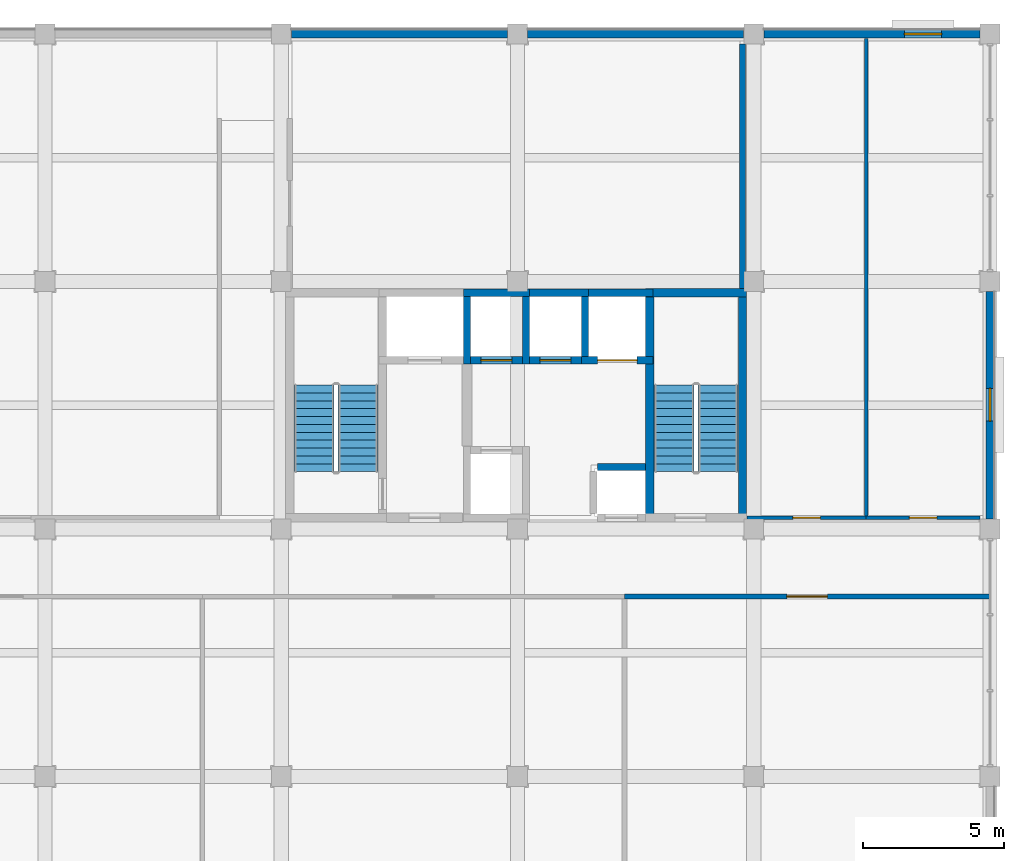
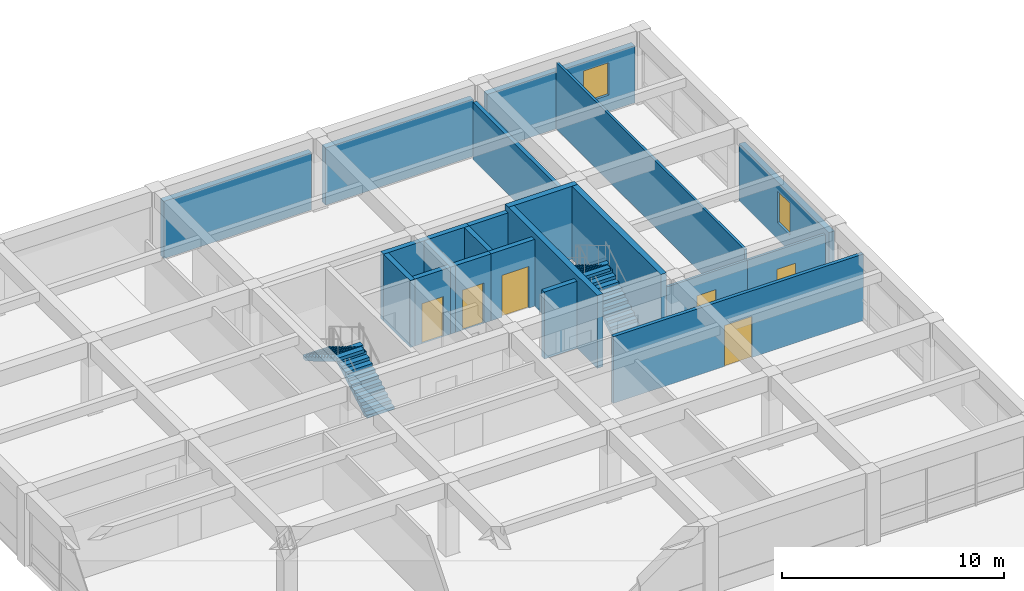
# One storey, part 5 of 8: 22 walls, 6 doors, 4 stair flights, 2 windows, 8 openings, 2 elements without a shape of their own.
"""IFC4 building model written with IfcOpenShell, lengths in metres."""

import ifcopenshell
import ifcopenshell.guid

model = None  # the IFC model being written
_history = None  # IfcOwnerHistory: only IFC2X3 demands one
_inside = {}  # id of a spatial element -> (the spatial element, [elements in it])
_under = {}  # id of a project, library or spatial element -> (it, [spatial elements below it])
_declared = {}  # id of a project -> (the project, [libraries it declares])
_typed = {}  # id of a type object -> (the type object, [elements of that type])
_made_of = {}  # id of a material, layer set ... -> (it, [elements and type objects made of it])


def new_model(schema):
    """Start an empty IFC model of exactly this schema.

    Asked for "IFC4X3", IfcOpenShell would pick the latest addendum, in which some entities
    have other attributes; the version numbers below select the first issue.
    IFC2X3 requires an IfcOwnerHistory on every rooted entity: one is made here for all.
    """
    global model, _history
    if schema == "IFC4X3":
        model = ifcopenshell.file(schema_version=(4, 3, 0, 0))
    else:
        model = ifcopenshell.file(schema=schema)
    _inside.clear()
    _under.clear()
    _declared.clear()
    _typed.clear()
    _made_of.clear()
    _history = None
    if model.schema == "IFC2X3":
        org = make("IfcOrganization", Name="unknown")
        user = make(
            "IfcPersonAndOrganization",
            ThePerson=make("IfcPerson", FamilyName="unknown"),
            TheOrganization=org,
        )
        app = make(
            "IfcApplication",
            ApplicationDeveloper=org,
            Version="unknown",
            ApplicationFullName="unknown",
            ApplicationIdentifier="unknown",
        )
        _history = make(
            "IfcOwnerHistory",
            OwningUser=user,
            OwningApplication=app,
            ChangeAction="ADDED",
            CreationDate=0,
        )
    return model


def make(cls, **values):
    """One entity of the class cls with the attributes given. An attribute that is None is left unset."""
    return model.create_entity(
        cls, **{name: value for name, value in values.items() if value is not None}
    )


def rooted(cls, **values):
    """An entity with a GlobalId (a new one), such as an element, a storey or a relation."""
    return make(cls, GlobalId=ifcopenshell.guid.new(), OwnerHistory=_history, **values)


def si_unit(unit_type, name, prefix=None):
    """IfcSIUnit, for example si_unit("LENGTHUNIT", "METRE", prefix="MILLI")."""
    return make("IfcSIUnit", UnitType=unit_type, Prefix=prefix, Name=name)


def assignment(units):
    """IfcUnitAssignment: the units of a project."""
    return None if units is None else make("IfcUnitAssignment", Units=units)


def point(xyz):
    """IfcCartesianPoint."""
    return None if xyz is None else make("IfcCartesianPoint", Coordinates=xyz)


def direction(xyz):
    """IfcDirection."""
    return None if xyz is None else make("IfcDirection", DirectionRatios=xyz)


def frame(location, z_axis=None, x_axis=None):
    """IfcAxis2Placement3D, a coordinate frame: its origin and axes. An axis left out is left unset."""
    return make(
        "IfcAxis2Placement3D",
        Location=point(location),
        Axis=direction(z_axis),
        RefDirection=direction(x_axis),
    )


def frame_2d(location, x_axis=None):
    """IfcAxis2Placement2D, a coordinate frame in the plane: its origin and x axis."""
    return make(
        "IfcAxis2Placement2D", Location=point(location), RefDirection=direction(x_axis)
    )


def origin():
    """The frame at (0, 0, 0) with its axes left unset."""
    return frame((0.0, 0.0, 0.0))


def place(relative_to, where):
    """IfcLocalPlacement: puts the frame where relative to a parent placement (None: the world)."""
    return make(
        "IfcLocalPlacement", PlacementRelTo=relative_to, RelativePlacement=where
    )


def context(
    kind, dimensions, precision=None, world=None, true_north=None, identifier=None
):
    """IfcGeometricRepresentationContext, for example the 3D "Model" context."""
    return make(
        "IfcGeometricRepresentationContext",
        ContextIdentifier=identifier,
        ContextType=kind,
        CoordinateSpaceDimension=dimensions,
        Precision=precision,
        WorldCoordinateSystem=world,
        TrueNorth=true_north,
    )


def subcontext(parent, identifier, kind, view, scale=None):
    """IfcGeometricRepresentationSubContext, for example "Body" below "Model"."""
    return make(
        "IfcGeometricRepresentationSubContext",
        ContextIdentifier=identifier,
        ContextType=kind,
        ParentContext=parent,
        TargetScale=scale,
        TargetView=view,
    )


def project(units=None, contexts=None):
    """IfcProject with its units and contexts."""
    return rooted(
        "IfcProject",
        Name="project",
        RepresentationContexts=contexts,
        UnitsInContext=assignment(units),
    )


def spatial(cls, under=None, at=None, **own):
    """A site, building, storey or space (cls), placed at a placement, below another one or the project."""
    s = rooted(cls, ObjectPlacement=at, **own)
    if under is not None:
        _under.setdefault(under.id(), (under, []))[1].append(s)
    return s


def polyline(points):
    """IfcPolyline through the points."""
    return make("IfcPolyline", Points=[point(p) for p in points])


def profile(cls, at=None, kind="AREA", **sizes):
    """A parametric profile (cls). Its sizes go by their IFC names, for example OverallWidth=200.0."""
    return make(cls, ProfileType=kind, Position=at, **sizes)


def rectangle(**sizes):
    """IfcRectangleProfileDef."""
    return profile("IfcRectangleProfileDef", **sizes)


def outline(outer, holes=None, kind="AREA"):
    """IfcArbitraryClosedProfileDef: a profile drawn as a closed curve; with holes, ...WithVoids."""
    if holes is None:
        return make("IfcArbitraryClosedProfileDef", ProfileType=kind, OuterCurve=outer)
    return make(
        "IfcArbitraryProfileDefWithVoids",
        ProfileType=kind,
        OuterCurve=outer,
        InnerCurves=holes,
    )


def extrude(swept, where, along, depth):
    """IfcExtrudedAreaSolid: the profile swept, set in the frame where, extruded along a direction by depth."""
    return make(
        "IfcExtrudedAreaSolid",
        SweptArea=swept,
        Position=where,
        ExtrudedDirection=direction(along),
        Depth=depth,
    )


def shape(context_of_items, identifier, shape_type, items):
    """IfcShapeRepresentation: the items that make up one representation, for example the "Body"."""
    return make(
        "IfcShapeRepresentation",
        ContextOfItems=context_of_items,
        RepresentationIdentifier=identifier,
        RepresentationType=shape_type,
        Items=items,
    )


def material(Name=None, Category=None):
    """IfcMaterial."""
    return make("IfcMaterial", Name=Name, Category=Category)


def layer(
    of_material, thickness, ventilated=None, Name=None, Category=None, Priority=None
):
    """IfcMaterialLayer: one layer of a wall or slab, of a material (None: an air gap)."""
    return make(
        "IfcMaterialLayer",
        Material=of_material,
        LayerThickness=thickness,
        IsVentilated=ventilated,
        Name=Name,
        Category=Category,
        Priority=Priority,
    )


def layer_set(layers, Name=None):
    """IfcMaterialLayerSet."""
    return make("IfcMaterialLayerSet", MaterialLayers=layers, LayerSetName=Name)


def made_of(thing, what):
    """Note that an element or type object is made of a material, layer set ...; save() writes the relation."""
    if what is not None:
        _made_of.setdefault(what.id(), (what, []))[1].append(thing)
    return thing


def type_object(cls, material=None, **own):
    """A type object (cls), such as IfcWallType, which elements share."""
    return made_of(rooted(cls, **own), material)


def element(
    cls,
    number,
    at=None,
    inside=None,
    cuts=None,
    type_object=None,
    material=None,
    context=None,
    identifier="Body",
    shape_type=None,
    held_by="IfcProductDefinitionShape",
    body=None,
    shapes=None,
    **own,
):
    """One element of the class cls, such as IfcWall. Its Tag is "e" and its number.

    at: its placement. inside: the storey or other place that contains it. cuts: it is an
    opening in that element (IfcRelVoidsElement). A single representation is given by context,
    identifier, shape_type and body (its items); several are given by shapes. held_by: the class
    of the entity that holds the representations. save() writes the other relations.
    """
    e = rooted(cls, Tag="e%d" % number, ObjectPlacement=at, **own)
    if body is not None:
        shapes = [shape(context, identifier, shape_type, body)]
    if shapes is not None:
        e.Representation = make(held_by, Representations=shapes)
    if inside is not None:
        _inside.setdefault(inside.id(), (inside, []))[1].append(e)
    if cuts is not None:
        rooted(
            "IfcRelVoidsElement", RelatingBuildingElement=cuts, RelatedOpeningElement=e
        )
    if type_object is not None:
        _typed.setdefault(type_object.id(), (type_object, []))[1].append(e)
    return made_of(e, material)


def fill(opening, filler):
    """IfcRelFillsElement: the door or window that sits in an opening."""
    return rooted(
        "IfcRelFillsElement",
        RelatingOpeningElement=opening,
        RelatedBuildingElement=filler,
    )


def aggregate(whole, parts):
    """IfcRelAggregates: a whole, such as a stair, and the parts it consists of."""
    return rooted("IfcRelAggregates", RelatingObject=whole, RelatedObjects=parts)


def save(model, path):
    """Write the relations noted so far, then the file.

    IfcRelAggregates (storeys below a building ...), IfcRelContainedInSpatialStructure (elements
    in a storey), IfcRelDefinesByType, IfcRelAssociatesMaterial and IfcRelDeclares: one each for
    every whole, place, type object, material and project.
    """
    for whole, parts in _under.values():
        aggregate(whole, parts)
    for where, things in _inside.values():
        rooted(
            "IfcRelContainedInSpatialStructure",
            RelatedElements=things,
            RelatingStructure=where,
        )
    for kind, things in _typed.values():
        rooted("IfcRelDefinesByType", RelatedObjects=things, RelatingType=kind)
    for what, things in _made_of.values():
        rooted("IfcRelAssociatesMaterial", RelatedObjects=things, RelatingMaterial=what)
    for by, libraries in _declared.values():
        rooted("IfcRelDeclares", RelatingContext=by, RelatedDefinitions=libraries)
    model.write(path)


model = new_model("IFC4")

# Units and contexts
model_context = context("Model", 3, precision=1e-05, world=origin(), true_north=direction((0.0, 1.0)))
body_context = subcontext(model_context, "Body", "Model", "MODEL_VIEW")
ifc_project = project(units=[si_unit("LENGTHUNIT", "METRE"), si_unit("AREAUNIT", "SQUARE_METRE"), si_unit("VOLUMEUNIT", "CUBIC_METRE"), si_unit("PLANEANGLEUNIT", "RADIAN"), si_unit("MASSUNIT", "GRAM", prefix="KILO")], contexts=[model_context])

# Site, building, storey
site_placement = place(None, origin())
site = spatial("IfcSite", under=ifc_project, at=site_placement, CompositionType="ELEMENT")
building_placement = place(site_placement, origin())
building = spatial("IfcBuilding", under=site, at=building_placement, Name="Kemercrest Conservatory and Botanical Centre", CompositionType="ELEMENT")
storey_placement = place(building_placement, frame((0.0, 0.0, 24.800048828125)))
storey = spatial("IfcBuildingStorey", under=building, at=storey_placement, Name="L06", CompositionType="ELEMENT", Elevation=24.800048828125)

# Walls
ifc_material_1 = material(Name="Concrete C50/60", Category="concrete")
ifc_layer_1 = layer(ifc_material_1, 0.300048828125)
ifc_layer_set_1 = layer_set([ifc_layer_1], Name="Concrete C50/60")
wall_type_1 = type_object("IfcWallType", Name="CW-STAIR", PredefinedType="SHEAR", material=ifc_layer_set_1)
wall_1_placement = place(storey_placement, frame((163.75, 113.199951171875, 0.0), z_axis=(0.0, 0.0, 1.0), x_axis=(1.0, 0.0, 0.0)))
element("IfcWall", 1, at=wall_1_placement, inside=storey, type_object=wall_type_1, Name="Stair core ST-V4B shear wall N", PredefinedType="SHEAR", context=body_context, shape_type="SweptSolid", body=[
    extrude(rectangle(XDim=3.60009765625, YDim=0.300048828125, at=frame_2d((1.800048828125, 0.0))), origin(), (0.0, 0.0, 1.0), 4.0),
])
for number, where, z_axis, x_axis, name in (
    (2, (163.89990234375, 105.050048828125, 0.0), (0.0, 0.0, 1.0), (0.0, 1.0, 0.0), "Stair core ST-V4B shear wall W"),
    (3, (167.199951171875, 105.050048828125, 0.0), (0.0, 0.0, 1.0), (0.0, 1.0, 0.0), "Stair core ST-V4B shear wall E"),
):
    element("IfcWall", number, at=place(storey_placement, frame(where, z_axis=z_axis, x_axis=x_axis)), inside=storey, type_object=wall_type_1, Name=name, PredefinedType="SHEAR", context=body_context, shape_type="SweptSolid", body=[
        extrude(rectangle(XDim=8.300048828125, YDim=0.300048828125, at=frame_2d((4.14990234375, 0.0))), origin(), (0.0, 0.0, 1.0), 4.0),
    ])

# Wall, opening, window
ifc_material_2 = material(Name="Precast concrete C40/50", Category="concrete")
ifc_layer_2 = layer(ifc_material_2, 0.300048828125)
ifc_layer_set_2 = layer_set([ifc_layer_2], Name="Precast concrete C40/50")
wall_type_2 = type_object("IfcWallType", Name="W-EXT300", PredefinedType="SOLIDWALL", material=ifc_layer_set_2)
wall_2_placement = place(storey_placement, frame((176.0, 105.159912109375, 0.0), z_axis=(0.0, 0.0, 1.0), x_axis=(0.0, 1.0, 0.0)))
wall_2 = element("IfcWall", 4, at=wall_2_placement, inside=storey, type_object=wall_type_2, Name="Exterior almasik wall W-EXT300 (WAL:L06:EXT-254)", PredefinedType="SOLIDWALL", context=body_context, shape_type="SweptSolid", body=[
    extrude(rectangle(XDim=8.080078125, YDim=0.300048828125, at=frame_2d((4.0400390625, 0.0))), origin(), (0.0, 0.0, 1.0), 3.14990234375),
])
opening_1_placement = place(wall_2_placement, frame((3.47998046875, 0.0, 0.89990234375)))
opening_1 = element("IfcOpeningElement", 5, at=opening_1_placement, cuts=wall_2, Name="Opening WT-45", PredefinedType="OPENING", context=body_context, shape_type="SweptSolid", body=[
    extrude(rectangle(XDim=1.159912109375, YDim=1.739990234375, at=frame_2d((0.580078125, 0.8701171875))), frame((0.0, 0.16015625, 0.0), z_axis=(0.0, -1.0, 0.0), x_axis=(1.0, 0.0, 0.0)), (0.0, 0.0, 1.0), 0.320068359375),
])
ifc_material_3 = material(Name="Thermally broken bronze-anodized aluminium and triple glazing", Category="aluminium")
window_type_1 = type_object("IfcWindowType", Name="WT-45", PartitioningType="SINGLE_PANEL", PredefinedType="WINDOW", material=ifc_material_3)
window_1_placement = place(opening_1_placement, origin())
window_1 = element("IfcWindow", 6, at=window_1_placement, inside=storey, type_object=window_type_1, Name="Exterior window WT-45 (WIN:L06:EXT-254)", OverallHeight=1.739990234375, OverallWidth=1.159912109375, PartitioningType="SINGLE_PANEL", PredefinedType="WINDOW", context=body_context, shape_type="SweptSolid", body=[
    extrude(rectangle(XDim=1.159912109375, YDim=1.739990234375, at=frame_2d((0.580078125, 0.8701171875))), frame((0.0, 0.030029296875, 0.0), z_axis=(0.0, -1.0, 0.0), x_axis=(1.0, 0.0, 0.0)), (0.0, 0.0, 1.0), 0.06005859375),
])
fill(opening_1, window_1)

wall_3_placement = place(storey_placement, frame((175.639892578125, 122.39990234375, 0.0), z_axis=(0.0, 0.0, 1.0), x_axis=(-1.0, 0.0, 0.0)))
wall_3 = element("IfcWall", 7, at=wall_3_placement, inside=storey, type_object=wall_type_2, Name="Exterior almasik wall W-EXT300 (WAL:L06:EXT-255)", PredefinedType="SOLIDWALL", context=body_context, shape_type="SweptSolid", body=[
    extrude(rectangle(XDim=7.679931640625, YDim=0.300048828125, at=frame_2d((3.83984375, 0.0))), origin(), (0.0, 0.0, 1.0), 3.14990234375),
])
opening_2_placement = place(wall_3_placement, frame((1.360107421875, 0.0, 0.89990234375)))
opening_2 = element("IfcOpeningElement", 8, at=opening_2_placement, cuts=wall_3, Name="Opening WT-46", PredefinedType="OPENING", context=body_context, shape_type="SweptSolid", body=[
    extrude(rectangle(XDim=1.320068359375, YDim=1.780029296875, at=frame_2d((0.66015625, 0.89013671875))), frame((0.0, 0.16015625, 0.0), z_axis=(0.0, -1.0, 0.0), x_axis=(1.0, 0.0, 0.0)), (0.0, 0.0, 1.0), 0.320068359375),
])
window_type_2 = type_object("IfcWindowType", Name="WT-46", PartitioningType="SINGLE_PANEL", PredefinedType="WINDOW", material=ifc_material_3)
window_2_placement = place(opening_2_placement, origin())
window_2 = element("IfcWindow", 9, at=window_2_placement, inside=storey, type_object=window_type_2, Name="Exterior window WT-46 (WIN:L06:EXT-255)", OverallHeight=1.780029296875, OverallWidth=1.320068359375, PartitioningType="SINGLE_PANEL", PredefinedType="WINDOW", context=body_context, shape_type="SweptSolid", body=[
    extrude(rectangle(XDim=1.320068359375, YDim=1.780029296875, at=frame_2d((0.66015625, 0.89013671875))), frame((0.0, 0.030029296875, 0.0), z_axis=(0.0, -1.0, 0.0), x_axis=(1.0, 0.0, 0.0)), (0.0, 0.0, 1.0), 0.06005859375),
])
fill(opening_2, window_2)

# Walls
wall_4_placement = place(storey_placement, frame((167.239990234375, 122.39990234375, 0.0), z_axis=(0.0, 0.0, 1.0), x_axis=(-1.0, 0.0, 0.0)))
element("IfcWall", 10, at=wall_4_placement, inside=storey, type_object=wall_type_2, Name="Exterior almasik wall W-EXT300 (WAL:L06:EXT-256)", PredefinedType="SOLIDWALL", context=body_context, shape_type="SweptSolid", body=[
    extrude(rectangle(XDim=7.679931640625, YDim=0.300048828125, at=frame_2d((3.83984375, 0.0))), origin(), (0.0, 0.0, 1.0), 3.14990234375),
])
wall_5_placement = place(storey_placement, frame((158.840087890625, 122.39990234375, 0.0), z_axis=(0.0, 0.0, 1.0), x_axis=(-1.0, 0.0, 0.0)))
element("IfcWall", 11, at=wall_5_placement, inside=storey, type_object=wall_type_2, Name="Exterior almasik wall W-EXT300 (WAL:L06:EXT-257)", PredefinedType="SOLIDWALL", context=body_context, shape_type="SweptSolid", body=[
    extrude(rectangle(XDim=7.68017578125, YDim=0.300048828125, at=frame_2d((3.840087890625, 0.0))), origin(), (0.0, 0.0, 1.0), 3.14990234375),
])
ifc_material_4 = material(Name="Concrete C40/50", Category="concrete")
ifc_layer_3 = layer(ifc_material_4, 0.199951171875)
ifc_layer_set_3 = layer_set([ifc_layer_3], Name="Concrete C40/50")
wall_type_3 = type_object("IfcWallType", Name="W-FIRE", PredefinedType="PARTITIONING", material=ifc_layer_set_3)
wall_6_placement = place(storey_placement, frame((167.199951171875, 113.35498046875, 0.0), z_axis=(0.0, 0.0, 1.0), x_axis=(0.0, 1.0, 0.0)))
element("IfcWall", 12, at=wall_6_placement, inside=storey, type_object=wall_type_3, Name="Interior partition W-FIRE #200", PredefinedType="PARTITIONING", context=body_context, shape_type="SweptSolid", body=[
    extrude(rectangle(XDim=8.695068359375, YDim=0.199951171875, at=frame_2d((4.34765625, 0.0))), origin(), (0.0, 0.0, 1.0), 3.14501953125),
])

# Wall, opening, door
ifc_material_5 = material(Name="Moisture-resistant gypsum board partition", Category="gypsum")
ifc_layer_4 = layer(ifc_material_5, 0.125)
ifc_layer_set_4 = layer_set([ifc_layer_4], Name="Moisture-resistant gypsum board partition")
wall_type_4 = type_object("IfcWallType", Name="W-PART125", PredefinedType="PARTITIONING", material=ifc_layer_set_4)
wall_7_placement = place(storey_placement, frame((167.35498046875, 105.199951171875, 0.0), z_axis=(0.0, 0.0, 1.0), x_axis=(1.0, 0.0, 0.0)))
wall_7 = element("IfcWall", 13, at=wall_7_placement, inside=storey, type_object=wall_type_4, Name="Interior partition W-PART125 #194", PredefinedType="PARTITIONING", context=body_context, shape_type="SweptSolid", body=[
    extrude(rectangle(XDim=4.2451171875, YDim=0.125, at=frame_2d((2.12255859375, 0.0))), origin(), (0.0, 0.0, 1.0), 3.14501953125),
])
opening_3_placement = place(wall_7_placement, frame((1.632568359375, 0.0, 0.0)))
opening_3 = element("IfcOpeningElement", 14, at=opening_3_placement, cuts=wall_7, Name="Opening D217", PredefinedType="OPENING", context=body_context, shape_type="SweptSolid", body=[
    extrude(rectangle(XDim=0.97998046875, YDim=2.10009765625, at=frame_2d((0.489990234375, 1.050048828125))), frame((0.0, 0.072509765625, 0.0), z_axis=(0.0, -1.0, 0.0), x_axis=(1.0, 0.0, 0.0)), (0.0, 0.0, 1.0), 0.14501953125),
])
ifc_material_6 = material(Name="FSC solid-core white oak veneer and anodized aluminium frame", Category="aluminium")
door_type_1 = type_object("IfcDoorType", Name="DT-02", OperationType="NOTDEFINED", PredefinedType="DOOR", material=ifc_material_6)
door_1_placement = place(opening_3_placement, origin())
door_1 = element("IfcDoor", 15, at=door_1_placement, inside=storey, type_object=door_type_1, Name="Staff Washroom door D217", OperationType="SINGLE_SWING_LEFT", OverallHeight=2.10009765625, OverallWidth=0.97998046875, PredefinedType="DOOR", context=body_context, shape_type="SweptSolid", body=[
    extrude(rectangle(XDim=0.97998046875, YDim=2.10009765625, at=frame_2d((0.489990234375, 1.050048828125))), frame((0.0, 0.02490234375, 0.0), z_axis=(0.0, -1.0, 0.0), x_axis=(1.0, 0.0, 0.0)), (0.0, 0.0, 1.0), 0.050048828125),
])
fill(opening_3, door_1)

wall_8_placement = place(storey_placement, frame((171.60009765625, 105.199951171875, 0.0), z_axis=(0.0, 0.0, 1.0), x_axis=(1.0, 0.0, 0.0)))
wall_8 = element("IfcWall", 16, at=wall_8_placement, inside=storey, type_object=wall_type_4, Name="Interior partition W-PART125 #195", PredefinedType="PARTITIONING", context=body_context, shape_type="SweptSolid", body=[
    extrude(rectangle(XDim=4.0498046875, YDim=0.125, at=frame_2d((2.02490234375, 0.0))), origin(), (0.0, 0.0, 1.0), 3.14501953125),
])
opening_4_placement = place(wall_8_placement, frame((1.534912109375, 0.0, 0.0)))
opening_4 = element("IfcOpeningElement", 17, at=opening_4_placement, cuts=wall_8, Name="Opening D218", PredefinedType="OPENING", context=body_context, shape_type="SweptSolid", body=[
    extrude(rectangle(XDim=0.97998046875, YDim=2.10009765625, at=frame_2d((0.489990234375, 1.050048828125))), frame((0.0, 0.072509765625, 0.0), z_axis=(0.0, -1.0, 0.0), x_axis=(1.0, 0.0, 0.0)), (0.0, 0.0, 1.0), 0.14501953125),
])
door_2_placement = place(opening_4_placement, origin())
door_2 = element("IfcDoor", 18, at=door_2_placement, inside=storey, type_object=door_type_1, Name="Accessible Washroom door D218", OperationType="SINGLE_SWING_RIGHT", OverallHeight=2.10009765625, OverallWidth=0.97998046875, PredefinedType="DOOR", context=body_context, shape_type="SweptSolid", body=[
    extrude(rectangle(XDim=0.97998046875, YDim=2.10009765625, at=frame_2d((0.489990234375, 1.050048828125))), frame((0.0, 0.02490234375, 0.0), z_axis=(0.0, -1.0, 0.0), x_axis=(1.0, 0.0, 0.0)), (0.0, 0.0, 1.0), 0.050048828125),
])
fill(opening_4, door_2)

# Wall
wall_9_placement = place(storey_placement, frame((171.60009765625, 105.267578125, 0.0), z_axis=(0.0, 0.0, 1.0), x_axis=(0.0, 1.0, 0.0)))
element("IfcWall", 19, at=wall_9_placement, inside=storey, type_object=wall_type_4, Name="Interior partition W-PART125 #201", PredefinedType="PARTITIONING", context=body_context, shape_type="SweptSolid", body=[
    extrude(rectangle(XDim=16.9775390625, YDim=0.125, at=frame_2d((8.48876953125, 0.0))), origin(), (0.0, 0.0, 1.0), 3.6650390625),
])

# Wall, opening, door
ifc_material_7 = material(Name="Acoustic steel-stud gypsum board assembly", Category="steel")
ifc_layer_5 = layer(ifc_material_7, 0.179931640625)
ifc_layer_set_5 = layer_set([ifc_layer_5], Name="Acoustic steel-stud gypsum board assembly")
wall_type_5 = type_object("IfcWallType", Name="W-PART180", PredefinedType="PARTITIONING", material=ifc_layer_set_5)
wall_10_placement = place(storey_placement, frame((163.0, 102.39990234375, 0.0), z_axis=(0.0, 0.0, 1.0), x_axis=(1.0, 0.0, 0.0)))
wall_10 = element("IfcWall", 20, at=wall_10_placement, inside=storey, type_object=wall_type_5, Name="Interior partition W-PART180 #192", PredefinedType="PARTITIONING", context=body_context, shape_type="SweptSolid", body=[
    extrude(rectangle(XDim=13.0, YDim=0.179931640625, at=frame_2d((6.5, 0.0))), origin(), (0.0, 0.0, 1.0), 3.6650390625),
])
opening_5_placement = place(wall_10_placement, frame((5.780029296875, 0.0, 0.0)))
opening_5 = element("IfcOpeningElement", 21, at=opening_5_placement, cuts=wall_10, Name="Opening D215", PredefinedType="OPENING", context=body_context, shape_type="SweptSolid", body=[
    extrude(rectangle(XDim=1.43994140625, YDim=2.260009765625, at=frame_2d((0.719970703125, 1.1298828125))), frame((0.0, 0.10009765625, 0.0), z_axis=(0.0, -1.0, 0.0), x_axis=(1.0, 0.0, 0.0)), (0.0, 0.0, 1.0), 0.199951171875),
])
door_type_2 = type_object("IfcDoorType", Name="DT-29", OperationType="DOUBLE_DOOR_SINGLE_SWING", PredefinedType="DOOR", material=ifc_material_6)
door_3_placement = place(opening_5_placement, origin())
door_3 = element("IfcDoor", 22, at=door_3_placement, inside=storey, type_object=door_type_2, Name="Herbarium Specimen Mounting Laboratory door D215", OperationType="DOUBLE_DOOR_SINGLE_SWING", OverallHeight=2.260009765625, OverallWidth=1.43994140625, PredefinedType="DOOR", context=body_context, shape_type="SweptSolid", body=[
    extrude(rectangle(XDim=1.43994140625, YDim=2.260009765625, at=frame_2d((0.719970703125, 1.1298828125))), frame((0.0, 0.02490234375, 0.0), z_axis=(0.0, -1.0, 0.0), x_axis=(1.0, 0.0, 0.0)), (0.0, 0.0, 1.0), 0.050048828125),
])
fill(opening_5, door_3)

# Wall
ifc_layer_6 = layer(ifc_material_4, 0.25)
ifc_layer_set_6 = layer_set([ifc_layer_6], Name="Concrete C40/50")
wall_type_6 = type_object("IfcWallType", Name="W-SHFT250", PredefinedType="SOLIDWALL", material=ifc_layer_set_6)
wall_11_placement = place(storey_placement, frame((157.39990234375, 110.675048828125, 0.0), z_axis=(0.0, 0.0, 1.0), x_axis=(0.0, 1.0, 0.0)))
element("IfcWall", 23, at=wall_11_placement, inside=storey, type_object=wall_type_6, Name="Elevator LF-FF1 shaft wall east", PredefinedType="SOLIDWALL", context=body_context, shape_type="SweptSolid", body=[
    extrude(rectangle(XDim=2.64990234375, YDim=0.25, at=frame_2d((1.324951171875, 0.0))), origin(), (0.0, 0.0, 1.0), 3.679931640625),
])

# Wall, opening, door
wall_12_placement = place(storey_placement, frame((157.27490234375, 110.800048828125, 0.0), z_axis=(0.0, 0.0, 1.0), x_axis=(1.0, 0.0, 0.0)))
wall_12 = element("IfcWall", 24, at=wall_12_placement, inside=storey, type_object=wall_type_6, Name="Elevator LF-P1 shaft wall south", PredefinedType="SOLIDWALL", context=body_context, shape_type="SweptSolid", body=[
    extrude(rectangle(XDim=2.35009765625, YDim=0.25, at=frame_2d((1.175048828125, 0.0))), origin(), (0.0, 0.0, 1.0), 3.679931640625),
])
opening_6_placement = place(wall_12_placement, frame((0.625, 0.0, 0.0)))
opening_6 = element("IfcOpeningElement", 25, at=opening_6_placement, cuts=wall_12, Name="Opening LD-027", PredefinedType="OPENING", context=body_context, shape_type="SweptSolid", body=[
    extrude(rectangle(XDim=1.10009765625, YDim=2.199951171875, at=frame_2d((0.550048828125, 1.10009765625))), frame((0.0, 0.135009765625, 0.0), z_axis=(0.0, -1.0, 0.0), x_axis=(1.0, 0.0, 0.0)), (0.0, 0.0, 1.0), 0.27001953125),
])
ifc_material_8 = material(Name="Powder-coated galvanized steel and fire-rated vision glass", Category="steel")
door_type_3 = type_object("IfcDoorType", Name="DT-LD01", OperationType="SLIDING_TO_LEFT", PredefinedType="DOOR", material=ifc_material_8)
door_4_placement = place(opening_6_placement, origin())
door_4 = element("IfcDoor", 26, at=door_4_placement, inside=storey, type_object=door_type_3, Name="Elevator LF-P1 sliding landing door LD-027", OperationType="SLIDING_TO_LEFT", OverallHeight=2.199951171875, OverallWidth=1.10009765625, PredefinedType="DOOR", context=body_context, shape_type="SweptSolid", body=[
    extrude(rectangle(XDim=1.10009765625, YDim=2.199951171875, at=frame_2d((0.550048828125, 1.10009765625))), frame((0.0, 0.02490234375, 0.0), z_axis=(0.0, -1.0, 0.0), x_axis=(1.0, 0.0, 0.0)), (0.0, 0.0, 1.0), 0.050048828125),
])
fill(opening_6, door_4)

# Walls
wall_13_placement = place(storey_placement, frame((157.27490234375, 113.199951171875, 0.0), z_axis=(0.0, 0.0, 1.0), x_axis=(1.0, 0.0, 0.0)))
element("IfcWall", 27, at=wall_13_placement, inside=storey, type_object=wall_type_6, Name="Elevator LF-P1 shaft wall north", PredefinedType="SOLIDWALL", context=body_context, shape_type="SweptSolid", body=[
    extrude(rectangle(XDim=2.35009765625, YDim=0.25, at=frame_2d((1.175048828125, 0.0))), origin(), (0.0, 0.0, 1.0), 3.679931640625),
])
wall_14_placement = place(storey_placement, frame((159.5, 110.675048828125, 0.0), z_axis=(0.0, 0.0, 1.0), x_axis=(0.0, 1.0, 0.0)))
element("IfcWall", 28, at=wall_14_placement, inside=storey, type_object=wall_type_6, Name="Elevator LF-P1 shaft wall east", PredefinedType="SOLIDWALL", context=body_context, shape_type="SweptSolid", body=[
    extrude(rectangle(XDim=2.64990234375, YDim=0.25, at=frame_2d((1.324951171875, 0.0))), origin(), (0.0, 0.0, 1.0), 3.679931640625),
])

# Wall, opening, door
wall_15_placement = place(storey_placement, frame((159.375, 110.800048828125, 0.0), z_axis=(0.0, 0.0, 1.0), x_axis=(1.0, 0.0, 0.0)))
wall_15 = element("IfcWall", 29, at=wall_15_placement, inside=storey, type_object=wall_type_6, Name="Elevator LF-P2 shaft wall south", PredefinedType="SOLIDWALL", context=body_context, shape_type="SweptSolid", body=[
    extrude(rectangle(XDim=2.35009765625, YDim=0.25, at=frame_2d((1.175048828125, 0.0))), origin(), (0.0, 0.0, 1.0), 3.679931640625),
])
opening_7_placement = place(wall_15_placement, frame((0.625, 0.0, 0.0)))
opening_7 = element("IfcOpeningElement", 30, at=opening_7_placement, cuts=wall_15, Name="Opening LD-046", PredefinedType="OPENING", context=body_context, shape_type="SweptSolid", body=[
    extrude(rectangle(XDim=1.10009765625, YDim=2.199951171875, at=frame_2d((0.550048828125, 1.10009765625))), frame((0.0, 0.135009765625, 0.0), z_axis=(0.0, -1.0, 0.0), x_axis=(1.0, 0.0, 0.0)), (0.0, 0.0, 1.0), 0.27001953125),
])
door_5_placement = place(opening_7_placement, origin())
door_5 = element("IfcDoor", 31, at=door_5_placement, inside=storey, type_object=door_type_3, Name="Elevator LF-P2 sliding landing door LD-046", OperationType="SLIDING_TO_LEFT", OverallHeight=2.199951171875, OverallWidth=1.10009765625, PredefinedType="DOOR", context=body_context, shape_type="SweptSolid", body=[
    extrude(rectangle(XDim=1.10009765625, YDim=2.199951171875, at=frame_2d((0.550048828125, 1.10009765625))), frame((0.0, 0.02490234375, 0.0), z_axis=(0.0, -1.0, 0.0), x_axis=(1.0, 0.0, 0.0)), (0.0, 0.0, 1.0), 0.050048828125),
])
fill(opening_7, door_5)

# Walls
wall_16_placement = place(storey_placement, frame((159.375, 113.199951171875, 0.0), z_axis=(0.0, 0.0, 1.0), x_axis=(1.0, 0.0, 0.0)))
element("IfcWall", 32, at=wall_16_placement, inside=storey, type_object=wall_type_6, Name="Elevator LF-P2 shaft wall north", PredefinedType="SOLIDWALL", context=body_context, shape_type="SweptSolid", body=[
    extrude(rectangle(XDim=2.35009765625, YDim=0.25, at=frame_2d((1.175048828125, 0.0))), origin(), (0.0, 0.0, 1.0), 3.679931640625),
])
wall_17_placement = place(storey_placement, frame((161.60009765625, 110.675048828125, 0.0), z_axis=(0.0, 0.0, 1.0), x_axis=(0.0, 1.0, 0.0)))
element("IfcWall", 33, at=wall_17_placement, inside=storey, type_object=wall_type_6, Name="Elevator LF-P2 shaft wall east", PredefinedType="SOLIDWALL", context=body_context, shape_type="SweptSolid", body=[
    extrude(rectangle(XDim=2.64990234375, YDim=0.25, at=frame_2d((1.324951171875, 0.0))), origin(), (0.0, 0.0, 1.0), 3.679931640625),
])

# Wall, opening, door
wall_18_placement = place(storey_placement, frame((161.47509765625, 110.800048828125, 0.0), z_axis=(0.0, 0.0, 1.0), x_axis=(1.0, 0.0, 0.0)))
wall_18 = element("IfcWall", 34, at=wall_18_placement, inside=storey, type_object=wall_type_6, Name="Elevator LF-G1 shaft wall south", PredefinedType="SOLIDWALL", context=body_context, shape_type="SweptSolid", body=[
    extrude(rectangle(XDim=2.5498046875, YDim=0.25, at=frame_2d((1.27490234375, 0.0))), origin(), (0.0, 0.0, 1.0), 3.679931640625),
])
opening_8_placement = place(wall_18_placement, frame((0.574951171875, 0.0, 0.0)))
opening_8 = element("IfcOpeningElement", 35, at=opening_8_placement, cuts=wall_18, Name="Opening LD-082", PredefinedType="OPENING", context=body_context, shape_type="SweptSolid", body=[
    extrude(rectangle(XDim=1.39990234375, YDim=2.300048828125, at=frame_2d((0.699951171875, 1.14990234375))), frame((0.0, 0.135009765625, 0.0), z_axis=(0.0, -1.0, 0.0), x_axis=(1.0, 0.0, 0.0)), (0.0, 0.0, 1.0), 0.27001953125),
])
door_type_4 = type_object("IfcDoorType", Name="DT-LD03", OperationType="SLIDING_TO_LEFT", PredefinedType="DOOR", material=ifc_material_8)
door_6_placement = place(opening_8_placement, origin())
door_6 = element("IfcDoor", 36, at=door_6_placement, inside=storey, type_object=door_type_4, Name="Elevator LF-G1 sliding landing door LD-082", OperationType="SLIDING_TO_LEFT", OverallHeight=2.300048828125, OverallWidth=1.39990234375, PredefinedType="DOOR", context=body_context, shape_type="SweptSolid", body=[
    extrude(rectangle(XDim=1.39990234375, YDim=2.300048828125, at=frame_2d((0.699951171875, 1.14990234375))), frame((0.0, 0.02490234375, 0.0), z_axis=(0.0, -1.0, 0.0), x_axis=(1.0, 0.0, 0.0)), (0.0, 0.0, 1.0), 0.050048828125),
])
fill(opening_8, door_6)

# Walls
wall_19_placement = place(storey_placement, frame((161.47509765625, 113.199951171875, 0.0), z_axis=(0.0, 0.0, 1.0), x_axis=(1.0, 0.0, 0.0)))
element("IfcWall", 37, at=wall_19_placement, inside=storey, type_object=wall_type_6, Name="Elevator LF-G1 shaft wall north", PredefinedType="SOLIDWALL", context=body_context, shape_type="SweptSolid", body=[
    extrude(rectangle(XDim=2.5498046875, YDim=0.25, at=frame_2d((1.27490234375, 0.0))), origin(), (0.0, 0.0, 1.0), 3.679931640625),
])
wall_20_placement = place(storey_placement, frame((162.050048828125, 107.0, 0.0), z_axis=(0.0, 0.0, 1.0), x_axis=(1.0, 0.0, 0.0)))
element("IfcWall", 38, at=wall_20_placement, inside=storey, type_object=wall_type_6, Name="Core service riser shaft wall N", PredefinedType="SOLIDWALL", context=body_context, shape_type="SweptSolid", body=[
    extrude(rectangle(XDim=1.699951171875, YDim=0.25, at=frame_2d((0.85009765625, 0.0))), origin(), (0.0, 0.0, 1.0), 3.679931640625),
])

# Stair, stair flights
stair_type = type_object("IfcStairType", Name="ST-142-40", PredefinedType="HALF_TURN_STAIR", material=ifc_material_4)
stair_1_placement = place(storey_placement, origin())
stair_1 = element("IfcStair", 39, at=stair_1_placement, inside=storey, type_object=stair_type, Name="L06 Exit stair ST-V4A", PredefinedType="HALF_TURN_STAIR")
stair_flight_type = type_object("IfcStairFlightType", Name="FL-142-40", PredefinedType="STRAIGHT", material=ifc_material_4)
stair_flight_1_placement = place(storey_placement, frame((153.530029296875, 106.840087890625, 0.0), z_axis=(0.0, 0.0, 1.0), x_axis=(0.0, 1.0, 0.0)))
stair_flight_1 = element("IfcStairFlight", 40, at=stair_flight_1_placement, type_object=stair_flight_type, Name="ST-V4A flight 1", NumberOfRisers=12, NumberOfTreads=11, PredefinedType="STRAIGHT", RiserHeight=0.166666667, TreadLength=0.28, context=body_context, shape_type="SweptSolid", body=[
    extrude(outline(polyline([(0.0, 0.0), (0.0, 0.166748046875), (0.280029296875, 0.166748046875), (0.280029296875, 0.333251953125), (0.56005859375, 0.333251953125), (0.56005859375, 0.5), (0.840087890625, 0.5), (0.840087890625, 0.666748046875), (1.1201171875, 0.666748046875), (1.1201171875, 0.833251953125), (1.39990234375, 0.833251953125), (1.39990234375, 1.0), (1.679931640625, 1.0), (1.679931640625, 1.166748046875), (1.9599609375, 1.166748046875), (1.9599609375, 1.333251953125), (2.239990234375, 1.333251953125), (2.239990234375, 1.5), (2.52001953125, 1.5), (2.52001953125, 1.666748046875), (2.800048828125, 1.666748046875), (2.800048828125, 1.833251953125), (3.080078125, 1.833251953125), (3.080078125, 2.0), (3.080078125, 1.658935546875), (0.29296875, 0.0), (0.0, 0.0)])), frame((0.0, 0.7099609375, 0.0), z_axis=(0.0, -1.0, 0.0), x_axis=(1.0, 0.0, 0.0)), (0.0, 0.0, 1.0), 1.419921875),
])
stair_flight_2_placement = place(storey_placement, frame((151.969970703125, 109.919921875, 2.0), z_axis=(0.0, 0.0, 1.0), x_axis=(0.0, -1.0, 0.0)))
stair_flight_2 = element("IfcStairFlight", 41, at=stair_flight_2_placement, type_object=stair_flight_type, Name="ST-V4A flight 2", NumberOfRisers=12, NumberOfTreads=11, PredefinedType="STRAIGHT", RiserHeight=0.166666667, TreadLength=0.28, context=body_context, shape_type="SweptSolid", body=[
    extrude(outline(polyline([(0.0, 0.0), (0.0, 0.166748046875), (0.280029296875, 0.166748046875), (0.280029296875, 0.333251953125), (0.56005859375, 0.333251953125), (0.56005859375, 0.5), (0.840087890625, 0.5), (0.840087890625, 0.666748046875), (1.1201171875, 0.666748046875), (1.1201171875, 0.833251953125), (1.39990234375, 0.833251953125), (1.39990234375, 1.0), (1.679931640625, 1.0), (1.679931640625, 1.166748046875), (1.9599609375, 1.166748046875), (1.9599609375, 1.333251953125), (2.239990234375, 1.333251953125), (2.239990234375, 1.5), (2.52001953125, 1.5), (2.52001953125, 1.666748046875), (2.800048828125, 1.666748046875), (2.800048828125, 1.833251953125), (3.080078125, 1.833251953125), (3.080078125, 2.0), (3.080078125, 1.658935546875), (0.29296875, 0.0), (0.0, 0.0)])), frame((0.0, 0.7099609375, 0.0), z_axis=(0.0, -1.0, 0.0), x_axis=(1.0, 0.0, 0.0)), (0.0, 0.0, 1.0), 1.419921875),
])
aggregate(stair_1, [stair_flight_1, stair_flight_2])

stair_2_placement = place(storey_placement, origin())
stair_2 = element("IfcStair", 42, at=stair_2_placement, inside=storey, type_object=stair_type, Name="L06 Exit stair ST-V4B", PredefinedType="HALF_TURN_STAIR")
stair_flight_3_placement = place(storey_placement, frame((166.330078125, 106.840087890625, 0.0), z_axis=(0.0, 0.0, 1.0), x_axis=(0.0, 1.0, 0.0)))
stair_flight_3 = element("IfcStairFlight", 43, at=stair_flight_3_placement, type_object=stair_flight_type, Name="ST-V4B flight 1", NumberOfRisers=12, NumberOfTreads=11, PredefinedType="STRAIGHT", RiserHeight=0.166666667, TreadLength=0.28, context=body_context, shape_type="SweptSolid", body=[
    extrude(outline(polyline([(0.0, 0.0), (0.0, 0.166748046875), (0.280029296875, 0.166748046875), (0.280029296875, 0.333251953125), (0.56005859375, 0.333251953125), (0.56005859375, 0.5), (0.840087890625, 0.5), (0.840087890625, 0.666748046875), (1.1201171875, 0.666748046875), (1.1201171875, 0.833251953125), (1.39990234375, 0.833251953125), (1.39990234375, 1.0), (1.679931640625, 1.0), (1.679931640625, 1.166748046875), (1.9599609375, 1.166748046875), (1.9599609375, 1.333251953125), (2.239990234375, 1.333251953125), (2.239990234375, 1.5), (2.52001953125, 1.5), (2.52001953125, 1.666748046875), (2.800048828125, 1.666748046875), (2.800048828125, 1.833251953125), (3.080078125, 1.833251953125), (3.080078125, 2.0), (3.080078125, 1.658935546875), (0.29296875, 0.0), (0.0, 0.0)])), frame((0.0, 0.7099609375, 0.0), z_axis=(0.0, -1.0, 0.0), x_axis=(1.0, 0.0, 0.0)), (0.0, 0.0, 1.0), 1.419921875),
])
stair_flight_4_placement = place(storey_placement, frame((164.77001953125, 109.919921875, 2.0), z_axis=(0.0, 0.0, 1.0), x_axis=(0.0, -1.0, 0.0)))
stair_flight_4 = element("IfcStairFlight", 44, at=stair_flight_4_placement, type_object=stair_flight_type, Name="ST-V4B flight 2", NumberOfRisers=12, NumberOfTreads=11, PredefinedType="STRAIGHT", RiserHeight=0.166666667, TreadLength=0.28, context=body_context, shape_type="SweptSolid", body=[
    extrude(outline(polyline([(0.0, 0.0), (0.0, 0.166748046875), (0.280029296875, 0.166748046875), (0.280029296875, 0.333251953125), (0.56005859375, 0.333251953125), (0.56005859375, 0.5), (0.840087890625, 0.5), (0.840087890625, 0.666748046875), (1.1201171875, 0.666748046875), (1.1201171875, 0.833251953125), (1.39990234375, 0.833251953125), (1.39990234375, 1.0), (1.679931640625, 1.0), (1.679931640625, 1.166748046875), (1.9599609375, 1.166748046875), (1.9599609375, 1.333251953125), (2.239990234375, 1.333251953125), (2.239990234375, 1.5), (2.52001953125, 1.5), (2.52001953125, 1.666748046875), (2.800048828125, 1.666748046875), (2.800048828125, 1.833251953125), (3.080078125, 1.833251953125), (3.080078125, 2.0), (3.080078125, 1.658935546875), (0.29296875, 0.0), (0.0, 0.0)])), frame((0.0, 0.7099609375, 0.0), z_axis=(0.0, -1.0, 0.0), x_axis=(1.0, 0.0, 0.0)), (0.0, 0.0, 1.0), 1.419921875),
])
aggregate(stair_2, [stair_flight_3, stair_flight_4])

save(model, "model.ifc")
